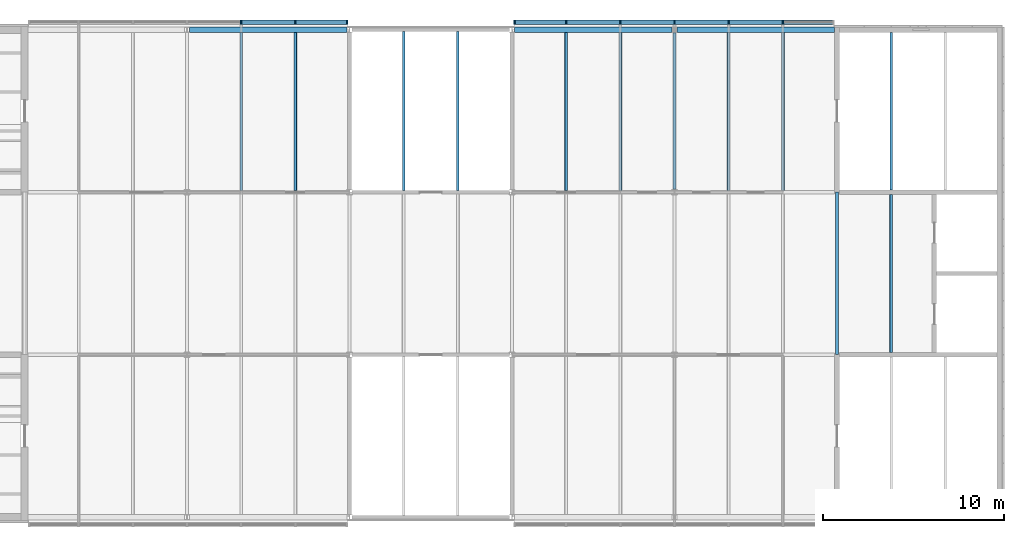
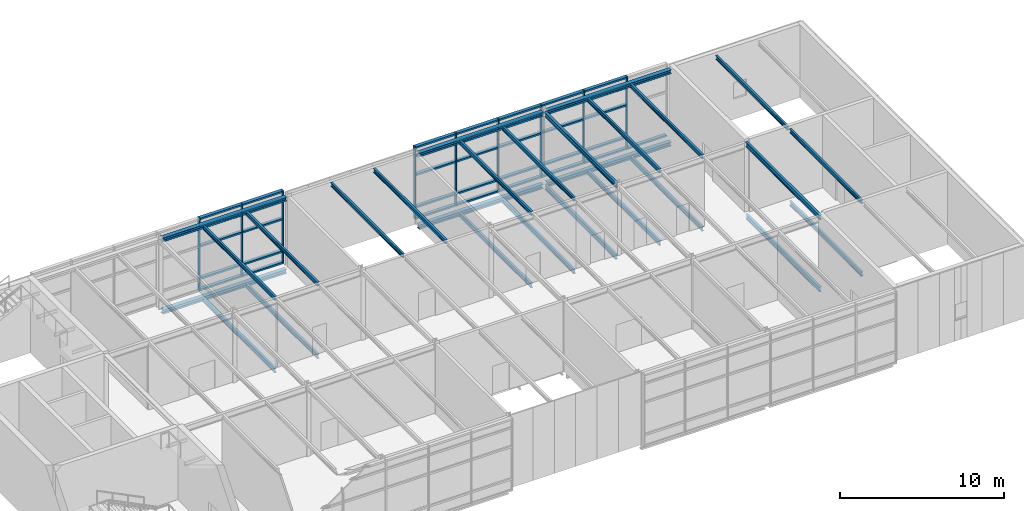
# One storey, part 27 of 46: 45 members, 27 beams, 2 elements without a shape of their own.
"""IFC4 building model written with IfcOpenShell, lengths in metres."""

from ifc_helpers import new_model, si_unit, direction, frame, origin, origin_2d, place, context, subcontext, project, spatial, rectangle, i_section, extrude, material, material_profile, profile_set, type_object, element, aggregate, save


model = new_model("IFC4")

# Units and contexts
model_context = context("Model", 3, precision=1e-05, world=origin(), true_north=direction((0.0, 1.0)))
body_context = subcontext(model_context, "Body", "Model", "MODEL_VIEW")
ifc_project = project(units=[si_unit("LENGTHUNIT", "METRE"), si_unit("AREAUNIT", "SQUARE_METRE"), si_unit("VOLUMEUNIT", "CUBIC_METRE"), si_unit("PLANEANGLEUNIT", "RADIAN"), si_unit("MASSUNIT", "GRAM", prefix="KILO")], contexts=[model_context])

# Site, building, storey
site_placement = place(None, origin())
site = spatial("IfcSite", under=ifc_project, at=site_placement, CompositionType="ELEMENT")
building_placement = place(site_placement, origin())
building = spatial("IfcBuilding", under=site, at=building_placement, Name="Azimuth Sports and Learning Centre", CompositionType="ELEMENT")
storey_placement = place(building_placement, frame((0.0, 0.0, 21.60009765625)))
storey = spatial("IfcBuildingStorey", under=building, at=storey_placement, Name="L04", CompositionType="ELEMENT", Elevation=21.60009765625)

# Beams
ifc_material_1 = material(Name="Steel S355", Category="steel")
ifc_material_profile_1 = material_profile(ifc_material_1, i_section(OverallWidth=0.169921875, OverallDepth=0.360107421875, WebThickness=0.008056640625, FlangeThickness=0.0126953125, FilletRadius=0.01806640625, at=origin_2d()), Name="IPE 360")
ifc_profile_set_1 = profile_set([ifc_material_profile_1], Name="Steel S355")
beam_type_1 = type_object("IfcBeamType", Name="Beam IPE 360", PredefinedType="BEAM", material=ifc_profile_set_1)
beam_1_placement = place(storey_placement, frame((153.0, 108.179931640625, -0.330078125), z_axis=(0.0, 1.0, 0.0), x_axis=(-1.0, 0.0, 0.0)))
element("IfcBeam", 1, at=beam_1_placement, inside=storey, type_object=beam_type_1, Name="Beam L04 WE 25", PredefinedType="BEAM", context=body_context, shape_type="SweptSolid", body=[
    extrude(i_section(OverallWidth=0.169921875, OverallDepth=0.360107421875, WebThickness=0.008056640625, FlangeThickness=0.0126953125, FilletRadius=0.01806640625, at=origin_2d()), origin(), (0.0, 0.0, 1.0), 8.64013671875),
])
beam_2_placement = place(storey_placement, frame((162.0, 99.0, -0.330078125), z_axis=(0.0, 1.0, 0.0), x_axis=(-1.0, 0.0, 0.0)))
element("IfcBeam", 2, at=beam_2_placement, inside=storey, type_object=beam_type_1, Name="Beam L04 WE 26", PredefinedType="BEAM", context=body_context, shape_type="SweptSolid", body=[
    extrude(i_section(OverallWidth=0.169921875, OverallDepth=0.360107421875, WebThickness=0.008056640625, FlangeThickness=0.0126953125, FilletRadius=0.01806640625, at=origin_2d()), origin(), (0.0, 0.0, 1.0), 9.0),
])
beam_3_placement = place(storey_placement, frame((153.0, 108.14990234375, 5.02001953125), z_axis=(0.0, 1.0, 0.0), x_axis=(-1.0, 0.0, 0.0)))
element("IfcBeam", 3, at=beam_3_placement, inside=storey, type_object=beam_type_1, Name="Beam L04 TE 86", PredefinedType="BEAM", context=body_context, shape_type="SweptSolid", body=[
    extrude(i_section(OverallWidth=0.169921875, OverallDepth=0.360107421875, WebThickness=0.008056640625, FlangeThickness=0.0126953125, FilletRadius=0.01806640625, at=origin_2d()), origin(), (0.0, 0.0, 1.0), 8.7001953125),
])
beam_4_placement = place(storey_placement, frame((162.0, 99.0, 5.02001953125), z_axis=(0.0, 1.0, 0.0), x_axis=(-1.0, 0.0, 0.0)))
element("IfcBeam", 4, at=beam_4_placement, inside=storey, type_object=beam_type_1, Name="Beam L04 TE 87", PredefinedType="BEAM", context=body_context, shape_type="SweptSolid", body=[
    extrude(i_section(OverallWidth=0.169921875, OverallDepth=0.360107421875, WebThickness=0.008056640625, FlangeThickness=0.0126953125, FilletRadius=0.01806640625, at=origin_2d()), origin(), (0.0, 0.0, 1.0), 9.0),
])
ifc_material_2 = material(Name="Steel S355", Category="steel")
ifc_material_profile_2 = material_profile(ifc_material_2, i_section(OverallWidth=0.300048828125, OverallDepth=0.2900390625, WebThickness=0.008544921875, FlangeThickness=0.013916015625, FilletRadius=0.027099609375, at=origin_2d()), Name="HEA 300")
ifc_profile_set_2 = profile_set([ifc_material_profile_2], Name="Steel S355")
beam_type_2 = type_object("IfcBeamType", Name="Edge beam HEA 300", PredefinedType="SPANDREL", material=ifc_profile_set_2)
for number, where, z_axis, x_axis, name in (
    (5, (126.14990234375, 117.0, 5.054931640625), (1.0, 0.0, 0.0), (0.0, 1.0, 0.0), "Edge beam L04 TE 75"),
    (6, (144.14990234375, 117.0, 5.054931640625), (1.0, 0.0, 0.0), (0.0, 1.0, 0.0), "Edge beam L04 TE 76"),
    (7, (153.14990234375, 117.0, 5.054931640625), (1.0, 0.0, 0.0), (0.0, 1.0, 0.0), "Edge beam L04 TE 77"),
):
    element("IfcBeam", number, at=place(storey_placement, frame(where, z_axis=z_axis, x_axis=x_axis)), inside=storey, type_object=beam_type_2, Name=name, PredefinedType="SPANDREL", context=body_context, shape_type="SweptSolid", body=[
        extrude(i_section(OverallWidth=0.300048828125, OverallDepth=0.2900390625, WebThickness=0.008544921875, FlangeThickness=0.013916015625, FilletRadius=0.027099609375, at=origin_2d()), origin(), (0.0, 0.0, 1.0), 8.7001953125),
    ])
ifc_material_3 = material(Name="Steel S355", Category="steel")
ifc_material_profile_3 = material_profile(ifc_material_3, i_section(OverallWidth=0.300048828125, OverallDepth=0.31005859375, WebThickness=0.009033203125, FlangeThickness=0.015380859375, FilletRadius=0.027099609375, at=origin_2d()), Name="HEA 320")
ifc_profile_set_3 = profile_set([ifc_material_profile_3], Name="Steel S355")
beam_type_3 = type_object("IfcBeamType", Name="Edge beam HEA 320", PredefinedType="SPANDREL", material=ifc_profile_set_3)
for number, where, z_axis, x_axis, name in (
    (8, (126.14990234375, 117.0, -0.30517578125), (1.0, 0.0, 0.0), (0.0, 1.0, 0.0), "Edge beam L04 WE 14"),
    (9, (144.14990234375, 117.0, -0.30517578125), (1.0, 0.0, 0.0), (0.0, 1.0, 0.0), "Edge beam L04 WE 15"),
    (10, (153.14990234375, 117.0, -0.30517578125), (1.0, 0.0, 0.0), (0.0, 1.0, 0.0), "Edge beam L04 WE 16"),
):
    element("IfcBeam", number, at=place(storey_placement, frame(where, z_axis=z_axis, x_axis=x_axis)), inside=storey, type_object=beam_type_3, Name=name, PredefinedType="SPANDREL", context=body_context, shape_type="SweptSolid", body=[
        extrude(i_section(OverallWidth=0.300048828125, OverallDepth=0.31005859375, WebThickness=0.009033203125, FlangeThickness=0.015380859375, FilletRadius=0.027099609375, at=origin_2d()), origin(), (0.0, 0.0, 1.0), 8.7001953125),
    ])
ifc_material_4 = material(Name="Steel S355", Category="steel")
ifc_material_profile_4 = material_profile(ifc_material_4, i_section(OverallWidth=0.14990234375, OverallDepth=0.300048828125, WebThickness=0.007080078125, FlangeThickness=0.0107421875, FilletRadius=0.014892578125, at=origin_2d()), Name="IPE 300")
ifc_profile_set_4 = profile_set([ifc_material_profile_4], Name="Steel S355")
beam_type_4 = type_object("IfcBeamType", Name="Joist IPE 300", PredefinedType="JOIST", material=ifc_profile_set_4)
for number, where, z_axis, x_axis, name in (
    (11, (129.0, 108.094970703125, 5.0498046875), (0.0, 1.0, 0.0), (-1.0, 0.0, 0.0), "Joist L04 TE 96"),
    (12, (132.0, 108.094970703125, 5.0498046875), (0.0, 1.0, 0.0), (-1.0, 0.0, 0.0), "Joist L04 TE 99"),
):
    element("IfcBeam", number, at=place(storey_placement, frame(where, z_axis=z_axis, x_axis=x_axis)), inside=storey, type_object=beam_type_4, Name=name, PredefinedType="JOIST", context=body_context, shape_type="SweptSolid", body=[
        extrude(i_section(OverallWidth=0.14990234375, OverallDepth=0.300048828125, WebThickness=0.007080078125, FlangeThickness=0.0107421875, FilletRadius=0.014892578125, at=origin_2d()), origin(), (0.0, 0.0, 1.0), 8.755126953125),
    ])
for number, where, z_axis, x_axis, name in (
    (13, (138.0, 108.10009765625, 5.0498046875), (0.0, 1.0, 0.0), (-1.0, 0.0, 0.0), "Joist L04 TE 102"),
    (14, (141.0, 108.10009765625, 5.0498046875), (0.0, 1.0, 0.0), (-1.0, 0.0, 0.0), "Joist L04 TE 105"),
):
    element("IfcBeam", number, at=place(storey_placement, frame(where, z_axis=z_axis, x_axis=x_axis)), inside=storey, type_object=beam_type_4, Name=name, PredefinedType="JOIST", context=body_context, shape_type="SweptSolid", body=[
        extrude(i_section(OverallWidth=0.14990234375, OverallDepth=0.300048828125, WebThickness=0.007080078125, FlangeThickness=0.0107421875, FilletRadius=0.014892578125, at=origin_2d()), origin(), (0.0, 0.0, 1.0), 8.7998046875),
    ])
for number, where, z_axis, x_axis, name in (
    (15, (147.0, 108.094970703125, 5.0498046875), (0.0, 1.0, 0.0), (-1.0, 0.0, 0.0), "Joist L04 TE 108"),
    (16, (150.0, 108.094970703125, 5.0498046875), (0.0, 1.0, 0.0), (-1.0, 0.0, 0.0), "Joist L04 TE 111"),
    (17, (156.0, 108.094970703125, 5.0498046875), (0.0, 1.0, 0.0), (-1.0, 0.0, 0.0), "Joist L04 TE 114"),
    (18, (159.0, 108.094970703125, 5.0498046875), (0.0, 1.0, 0.0), (-1.0, 0.0, 0.0), "Joist L04 TE 117"),
):
    element("IfcBeam", number, at=place(storey_placement, frame(where, z_axis=z_axis, x_axis=x_axis)), inside=storey, type_object=beam_type_4, Name=name, PredefinedType="JOIST", context=body_context, shape_type="SweptSolid", body=[
        extrude(i_section(OverallWidth=0.14990234375, OverallDepth=0.300048828125, WebThickness=0.007080078125, FlangeThickness=0.0107421875, FilletRadius=0.014892578125, at=origin_2d()), origin(), (0.0, 0.0, 1.0), 8.755126953125),
    ])
beam_5_placement = place(storey_placement, frame((165.0, 99.125, 5.0498046875), z_axis=(0.0, 1.0, 0.0), x_axis=(-1.0, 0.0, 0.0)))
element("IfcBeam", 19, at=beam_5_placement, inside=storey, type_object=beam_type_4, Name="Joist L04 TE 119", PredefinedType="JOIST", context=body_context, shape_type="SweptSolid", body=[
    extrude(i_section(OverallWidth=0.14990234375, OverallDepth=0.300048828125, WebThickness=0.007080078125, FlangeThickness=0.0107421875, FilletRadius=0.014892578125, at=origin_2d()), origin(), (0.0, 0.0, 1.0), 8.75),
])
beam_6_placement = place(storey_placement, frame((165.0, 108.125, 5.0498046875), z_axis=(0.0, 1.0, 0.0), x_axis=(-1.0, 0.0, 0.0)))
element("IfcBeam", 20, at=beam_6_placement, inside=storey, type_object=beam_type_4, Name="Joist L04 TE 120", PredefinedType="JOIST", context=body_context, shape_type="SweptSolid", body=[
    extrude(i_section(OverallWidth=0.14990234375, OverallDepth=0.300048828125, WebThickness=0.007080078125, FlangeThickness=0.0107421875, FilletRadius=0.014892578125, at=origin_2d()), origin(), (0.0, 0.0, 1.0), 8.72509765625),
])
ifc_material_5 = material(Name="Steel S355", Category="steel")
ifc_material_profile_5 = material_profile(ifc_material_5, i_section(OverallWidth=0.159912109375, OverallDepth=0.330078125, WebThickness=0.007568359375, FlangeThickness=0.011474609375, FilletRadius=0.01806640625, at=origin_2d()), Name="IPE 330")
ifc_profile_set_5 = profile_set([ifc_material_profile_5], Name="Steel S355")
beam_type_5 = type_object("IfcBeamType", Name="Joist IPE 330", PredefinedType="JOIST", material=ifc_profile_set_5)
for number, where, z_axis, x_axis, name in (
    (21, (129.0, 108.10009765625, -0.315185546875), (0.0, 1.0, 0.0), (-1.0, 0.0, 0.0), "Joist L04 WE 35"),
    (22, (132.0, 108.10009765625, -0.315185546875), (0.0, 1.0, 0.0), (-1.0, 0.0, 0.0), "Joist L04 WE 38"),
    (23, (147.0, 108.10009765625, -0.315185546875), (0.0, 1.0, 0.0), (-1.0, 0.0, 0.0), "Joist L04 WE 43"),
    (24, (150.0, 108.10009765625, -0.315185546875), (0.0, 1.0, 0.0), (-1.0, 0.0, 0.0), "Joist L04 WE 46"),
    (25, (156.0, 108.10009765625, -0.315185546875), (0.0, 1.0, 0.0), (-1.0, 0.0, 0.0), "Joist L04 WE 49"),
    (26, (159.0, 108.10009765625, -0.315185546875), (0.0, 1.0, 0.0), (-1.0, 0.0, 0.0), "Joist L04 WE 52"),
    (27, (165.0, 99.125, -0.315185546875), (0.0, 1.0, 0.0), (-1.0, 0.0, 0.0), "Joist L04 WE 53"),
):
    element("IfcBeam", number, at=place(storey_placement, frame(where, z_axis=z_axis, x_axis=x_axis)), inside=storey, type_object=beam_type_5, Name=name, PredefinedType="JOIST", context=body_context, shape_type="SweptSolid", body=[
        extrude(i_section(OverallWidth=0.159912109375, OverallDepth=0.330078125, WebThickness=0.007568359375, FlangeThickness=0.011474609375, FilletRadius=0.01806640625, at=origin_2d()), origin(), (0.0, 0.0, 1.0), 8.75),
    ])

# Curtain wall, members
ifc_material_6 = material(Name="Aluminium and glass", Category="aluminium")
curtain_wall_type = type_object("IfcCurtainWallType", Name="Curtain wall podium wing 240", PredefinedType="NOTDEFINED", material=ifc_material_6)
curtain_wall_1_placement = place(storey_placement, origin())
curtain_wall_1 = element("IfcCurtainWall", 28, at=curtain_wall_1_placement, inside=storey, type_object=curtain_wall_type, Name="Curtain wall CW04-011", PredefinedType="NOTDEFINED")
ifc_material_7 = material(Name="Aluminium", Category="aluminium")
ifc_material_profile_6 = material_profile(ifc_material_7, rectangle(XDim=0.239990234375, YDim=0.080078125, at=origin_2d()), Name="Mullion 80x240")
ifc_profile_set_6 = profile_set([ifc_material_profile_6], Name="Aluminium")
member_type_1 = type_object("IfcMemberType", Name="Mullion 80x240", PredefinedType="MULLION", material=ifc_profile_set_6)
member_1_placement = place(storey_placement, frame((159.0, 117.419921875, 0.0), z_axis=(0.0, 0.0, 1.0), x_axis=(0.0, -1.0, 0.0)))
member_1 = element("IfcMember", 29, at=member_1_placement, type_object=member_type_1, Name="CW04-011 mullion 2", PredefinedType="MULLION", context=body_context, shape_type="SweptSolid", body=[
    extrude(rectangle(XDim=0.239990234375, YDim=0.080078125, at=origin_2d()), origin(), (0.0, 0.0, 1.0), 5.39990234375),
])
member_2_placement = place(storey_placement, frame((156.0, 117.419921875, 0.0), z_axis=(0.0, 0.0, 1.0), x_axis=(0.0, -1.0, 0.0)))
member_2 = element("IfcMember", 30, at=member_2_placement, type_object=member_type_1, Name="CW04-011 mullion 3", PredefinedType="MULLION", context=body_context, shape_type="SweptSolid", body=[
    extrude(rectangle(XDim=0.239990234375, YDim=0.080078125, at=origin_2d()), origin(), (0.0, 0.0, 1.0), 5.39990234375),
])
member_3_placement = place(storey_placement, frame((153.0, 117.419921875, 0.0), z_axis=(0.0, 0.0, 1.0), x_axis=(0.0, -1.0, 0.0)))
member_3 = element("IfcMember", 31, at=member_3_placement, type_object=member_type_1, Name="CW04-011 mullion 4", PredefinedType="MULLION", context=body_context, shape_type="SweptSolid", body=[
    extrude(rectangle(XDim=0.239990234375, YDim=0.080078125, at=origin_2d()), origin(), (0.0, 0.0, 1.0), 5.39990234375),
])
member_4_placement = place(storey_placement, frame((150.0, 117.419921875, 0.0), z_axis=(0.0, 0.0, 1.0), x_axis=(0.0, -1.0, 0.0)))
member_4 = element("IfcMember", 32, at=member_4_placement, type_object=member_type_1, Name="CW04-011 mullion 5", PredefinedType="MULLION", context=body_context, shape_type="SweptSolid", body=[
    extrude(rectangle(XDim=0.239990234375, YDim=0.080078125, at=origin_2d()), origin(), (0.0, 0.0, 1.0), 5.39990234375),
])
member_5_placement = place(storey_placement, frame((147.0, 117.419921875, 0.0), z_axis=(0.0, 0.0, 1.0), x_axis=(0.0, -1.0, 0.0)))
member_5 = element("IfcMember", 33, at=member_5_placement, type_object=member_type_1, Name="CW04-011 mullion 6", PredefinedType="MULLION", context=body_context, shape_type="SweptSolid", body=[
    extrude(rectangle(XDim=0.239990234375, YDim=0.080078125, at=origin_2d()), origin(), (0.0, 0.0, 1.0), 5.39990234375),
])
member_6_placement = place(storey_placement, frame((144.139892578125, 117.419921875, 0.0), z_axis=(0.0, 0.0, 1.0), x_axis=(0.0, -1.0, 0.0)))
member_6 = element("IfcMember", 34, at=member_6_placement, type_object=member_type_1, Name="CW04-011 mullion 7", PredefinedType="MULLION", context=body_context, shape_type="SweptSolid", body=[
    extrude(rectangle(XDim=0.239990234375, YDim=0.080078125, at=origin_2d()), origin(), (0.0, 0.0, 1.0), 5.39990234375),
])

curtain_wall_2_placement = place(storey_placement, origin())
curtain_wall_2 = element("IfcCurtainWall", 35, at=curtain_wall_2_placement, inside=storey, type_object=curtain_wall_type, Name="Curtain wall CW04-012", PredefinedType="NOTDEFINED")
member_7_placement = place(storey_placement, frame((134.860107421875, 117.419921875, 0.0), z_axis=(0.0, 0.0, 1.0), x_axis=(0.0, -1.0, 0.0)))
member_7 = element("IfcMember", 36, at=member_7_placement, type_object=member_type_1, Name="CW04-012 mullion 1", PredefinedType="MULLION", context=body_context, shape_type="SweptSolid", body=[
    extrude(rectangle(XDim=0.239990234375, YDim=0.080078125, at=origin_2d()), origin(), (0.0, 0.0, 1.0), 5.39990234375),
])
member_8_placement = place(storey_placement, frame((132.0, 117.419921875, 0.0), z_axis=(0.0, 0.0, 1.0), x_axis=(0.0, -1.0, 0.0)))
member_8 = element("IfcMember", 37, at=member_8_placement, type_object=member_type_1, Name="CW04-012 mullion 2", PredefinedType="MULLION", context=body_context, shape_type="SweptSolid", body=[
    extrude(rectangle(XDim=0.239990234375, YDim=0.080078125, at=origin_2d()), origin(), (0.0, 0.0, 1.0), 5.39990234375),
])
member_9_placement = place(storey_placement, frame((129.0, 117.419921875, 0.0), z_axis=(0.0, 0.0, 1.0), x_axis=(0.0, -1.0, 0.0)))
member_9 = element("IfcMember", 38, at=member_9_placement, type_object=member_type_1, Name="CW04-012 mullion 3", PredefinedType="MULLION", context=body_context, shape_type="SweptSolid", body=[
    extrude(rectangle(XDim=0.239990234375, YDim=0.080078125, at=origin_2d()), origin(), (0.0, 0.0, 1.0), 5.39990234375),
])

# Member
ifc_material_8 = material(Name="Aluminium", Category="aluminium")
ifc_material_profile_7 = material_profile(ifc_material_8, rectangle(XDim=0.239990234375, YDim=0.1201171875, at=origin_2d()), Name="Transom 120x240")
ifc_profile_set_7 = profile_set([ifc_material_profile_7], Name="Aluminium")
member_type_2 = type_object("IfcMemberType", Name="Transom 120x240", PredefinedType="USERDEFINED", material=ifc_profile_set_7)
member_10_placement = place(storey_placement, frame((161.77001953125, 117.419921875, 0.059814453125), z_axis=(-1.0, 0.0, 0.0), x_axis=(0.0, -1.0, 0.0)))
member_10 = element("IfcMember", 39, at=member_10_placement, type_object=member_type_2, Name="CW04-011 transom 1.1", ObjectType="TRANSOM", PredefinedType="USERDEFINED", context=body_context, shape_type="SweptSolid", body=[
    extrude(rectangle(XDim=0.239990234375, YDim=0.1201171875, at=origin_2d()), origin(), (0.0, 0.0, 1.0), 2.72998046875),
])

member_11_placement = place(storey_placement, frame((158.9599609375, 117.419921875, 0.059814453125), z_axis=(-1.0, 0.0, 0.0), x_axis=(0.0, -1.0, 0.0)))
member_11 = element("IfcMember", 40, at=member_11_placement, type_object=member_type_2, Name="CW04-011 transom 2.1", ObjectType="TRANSOM", PredefinedType="USERDEFINED", context=body_context, shape_type="SweptSolid", body=[
    extrude(rectangle(XDim=0.239990234375, YDim=0.1201171875, at=origin_2d()), origin(), (0.0, 0.0, 1.0), 2.919921875),
])

member_12_placement = place(storey_placement, frame((158.9599609375, 117.419921875, 0.89990234375), z_axis=(-1.0, 0.0, 0.0), x_axis=(0.0, -1.0, 0.0)))
member_12 = element("IfcMember", 41, at=member_12_placement, type_object=member_type_2, Name="CW04-011 transom 2.2", ObjectType="TRANSOM", PredefinedType="USERDEFINED", context=body_context, shape_type="SweptSolid", body=[
    extrude(rectangle(XDim=0.239990234375, YDim=0.1201171875, at=origin_2d()), origin(), (0.0, 0.0, 1.0), 2.919921875),
])

member_13_placement = place(storey_placement, frame((158.9599609375, 117.419921875, 3.2998046875), z_axis=(-1.0, 0.0, 0.0), x_axis=(0.0, -1.0, 0.0)))
member_13 = element("IfcMember", 42, at=member_13_placement, type_object=member_type_2, Name="CW04-011 transom 2.3", ObjectType="TRANSOM", PredefinedType="USERDEFINED", context=body_context, shape_type="SweptSolid", body=[
    extrude(rectangle(XDim=0.239990234375, YDim=0.1201171875, at=origin_2d()), origin(), (0.0, 0.0, 1.0), 2.919921875),
])

member_14_placement = place(storey_placement, frame((158.9599609375, 117.419921875, 4.699951171875), z_axis=(-1.0, 0.0, 0.0), x_axis=(0.0, -1.0, 0.0)))
member_14 = element("IfcMember", 43, at=member_14_placement, type_object=member_type_2, Name="CW04-011 transom 2.4", ObjectType="TRANSOM", PredefinedType="USERDEFINED", context=body_context, shape_type="SweptSolid", body=[
    extrude(rectangle(XDim=0.239990234375, YDim=0.1201171875, at=origin_2d()), origin(), (0.0, 0.0, 1.0), 2.919921875),
])

member_15_placement = place(storey_placement, frame((158.9599609375, 117.419921875, 5.33984375), z_axis=(-1.0, 0.0, 0.0), x_axis=(0.0, -1.0, 0.0)))
member_15 = element("IfcMember", 44, at=member_15_placement, type_object=member_type_2, Name="CW04-011 transom 2.5", ObjectType="TRANSOM", PredefinedType="USERDEFINED", context=body_context, shape_type="SweptSolid", body=[
    extrude(rectangle(XDim=0.239990234375, YDim=0.1201171875, at=origin_2d()), origin(), (0.0, 0.0, 1.0), 2.919921875),
])

member_16_placement = place(storey_placement, frame((155.9599609375, 117.419921875, 0.059814453125), z_axis=(-1.0, 0.0, 0.0), x_axis=(0.0, -1.0, 0.0)))
member_16 = element("IfcMember", 45, at=member_16_placement, type_object=member_type_2, Name="CW04-011 transom 3.1", ObjectType="TRANSOM", PredefinedType="USERDEFINED", context=body_context, shape_type="SweptSolid", body=[
    extrude(rectangle(XDim=0.239990234375, YDim=0.1201171875, at=origin_2d()), origin(), (0.0, 0.0, 1.0), 2.919921875),
])

member_17_placement = place(storey_placement, frame((155.9599609375, 117.419921875, 0.89990234375), z_axis=(-1.0, 0.0, 0.0), x_axis=(0.0, -1.0, 0.0)))
member_17 = element("IfcMember", 46, at=member_17_placement, type_object=member_type_2, Name="CW04-011 transom 3.2", ObjectType="TRANSOM", PredefinedType="USERDEFINED", context=body_context, shape_type="SweptSolid", body=[
    extrude(rectangle(XDim=0.239990234375, YDim=0.1201171875, at=origin_2d()), origin(), (0.0, 0.0, 1.0), 2.919921875),
])

member_18_placement = place(storey_placement, frame((155.9599609375, 117.419921875, 3.2998046875), z_axis=(-1.0, 0.0, 0.0), x_axis=(0.0, -1.0, 0.0)))
member_18 = element("IfcMember", 47, at=member_18_placement, type_object=member_type_2, Name="CW04-011 transom 3.3", ObjectType="TRANSOM", PredefinedType="USERDEFINED", context=body_context, shape_type="SweptSolid", body=[
    extrude(rectangle(XDim=0.239990234375, YDim=0.1201171875, at=origin_2d()), origin(), (0.0, 0.0, 1.0), 2.919921875),
])

member_19_placement = place(storey_placement, frame((155.9599609375, 117.419921875, 4.699951171875), z_axis=(-1.0, 0.0, 0.0), x_axis=(0.0, -1.0, 0.0)))
member_19 = element("IfcMember", 48, at=member_19_placement, type_object=member_type_2, Name="CW04-011 transom 3.4", ObjectType="TRANSOM", PredefinedType="USERDEFINED", context=body_context, shape_type="SweptSolid", body=[
    extrude(rectangle(XDim=0.239990234375, YDim=0.1201171875, at=origin_2d()), origin(), (0.0, 0.0, 1.0), 2.919921875),
])

member_20_placement = place(storey_placement, frame((155.9599609375, 117.419921875, 5.33984375), z_axis=(-1.0, 0.0, 0.0), x_axis=(0.0, -1.0, 0.0)))
member_20 = element("IfcMember", 49, at=member_20_placement, type_object=member_type_2, Name="CW04-011 transom 3.5", ObjectType="TRANSOM", PredefinedType="USERDEFINED", context=body_context, shape_type="SweptSolid", body=[
    extrude(rectangle(XDim=0.239990234375, YDim=0.1201171875, at=origin_2d()), origin(), (0.0, 0.0, 1.0), 2.919921875),
])

member_21_placement = place(storey_placement, frame((152.9599609375, 117.419921875, 0.059814453125), z_axis=(-1.0, 0.0, 0.0), x_axis=(0.0, -1.0, 0.0)))
member_21 = element("IfcMember", 50, at=member_21_placement, type_object=member_type_2, Name="CW04-011 transom 4.1", ObjectType="TRANSOM", PredefinedType="USERDEFINED", context=body_context, shape_type="SweptSolid", body=[
    extrude(rectangle(XDim=0.239990234375, YDim=0.1201171875, at=origin_2d()), origin(), (0.0, 0.0, 1.0), 2.919921875),
])

member_22_placement = place(storey_placement, frame((152.9599609375, 117.419921875, 0.89990234375), z_axis=(-1.0, 0.0, 0.0), x_axis=(0.0, -1.0, 0.0)))
member_22 = element("IfcMember", 51, at=member_22_placement, type_object=member_type_2, Name="CW04-011 transom 4.2", ObjectType="TRANSOM", PredefinedType="USERDEFINED", context=body_context, shape_type="SweptSolid", body=[
    extrude(rectangle(XDim=0.239990234375, YDim=0.1201171875, at=origin_2d()), origin(), (0.0, 0.0, 1.0), 2.919921875),
])

member_23_placement = place(storey_placement, frame((152.9599609375, 117.419921875, 3.2998046875), z_axis=(-1.0, 0.0, 0.0), x_axis=(0.0, -1.0, 0.0)))
member_23 = element("IfcMember", 52, at=member_23_placement, type_object=member_type_2, Name="CW04-011 transom 4.3", ObjectType="TRANSOM", PredefinedType="USERDEFINED", context=body_context, shape_type="SweptSolid", body=[
    extrude(rectangle(XDim=0.239990234375, YDim=0.1201171875, at=origin_2d()), origin(), (0.0, 0.0, 1.0), 2.919921875),
])

member_24_placement = place(storey_placement, frame((152.9599609375, 117.419921875, 4.699951171875), z_axis=(-1.0, 0.0, 0.0), x_axis=(0.0, -1.0, 0.0)))
member_24 = element("IfcMember", 53, at=member_24_placement, type_object=member_type_2, Name="CW04-011 transom 4.4", ObjectType="TRANSOM", PredefinedType="USERDEFINED", context=body_context, shape_type="SweptSolid", body=[
    extrude(rectangle(XDim=0.239990234375, YDim=0.1201171875, at=origin_2d()), origin(), (0.0, 0.0, 1.0), 2.919921875),
])

member_25_placement = place(storey_placement, frame((152.9599609375, 117.419921875, 5.33984375), z_axis=(-1.0, 0.0, 0.0), x_axis=(0.0, -1.0, 0.0)))
member_25 = element("IfcMember", 54, at=member_25_placement, type_object=member_type_2, Name="CW04-011 transom 4.5", ObjectType="TRANSOM", PredefinedType="USERDEFINED", context=body_context, shape_type="SweptSolid", body=[
    extrude(rectangle(XDim=0.239990234375, YDim=0.1201171875, at=origin_2d()), origin(), (0.0, 0.0, 1.0), 2.919921875),
])

member_26_placement = place(storey_placement, frame((149.9599609375, 117.419921875, 0.059814453125), z_axis=(-1.0, 0.0, 0.0), x_axis=(0.0, -1.0, 0.0)))
member_26 = element("IfcMember", 55, at=member_26_placement, type_object=member_type_2, Name="CW04-011 transom 5.1", ObjectType="TRANSOM", PredefinedType="USERDEFINED", context=body_context, shape_type="SweptSolid", body=[
    extrude(rectangle(XDim=0.239990234375, YDim=0.1201171875, at=origin_2d()), origin(), (0.0, 0.0, 1.0), 2.919921875),
])

member_27_placement = place(storey_placement, frame((149.9599609375, 117.419921875, 0.89990234375), z_axis=(-1.0, 0.0, 0.0), x_axis=(0.0, -1.0, 0.0)))
member_27 = element("IfcMember", 56, at=member_27_placement, type_object=member_type_2, Name="CW04-011 transom 5.2", ObjectType="TRANSOM", PredefinedType="USERDEFINED", context=body_context, shape_type="SweptSolid", body=[
    extrude(rectangle(XDim=0.239990234375, YDim=0.1201171875, at=origin_2d()), origin(), (0.0, 0.0, 1.0), 2.919921875),
])

member_28_placement = place(storey_placement, frame((149.9599609375, 117.419921875, 3.2998046875), z_axis=(-1.0, 0.0, 0.0), x_axis=(0.0, -1.0, 0.0)))
member_28 = element("IfcMember", 57, at=member_28_placement, type_object=member_type_2, Name="CW04-011 transom 5.3", ObjectType="TRANSOM", PredefinedType="USERDEFINED", context=body_context, shape_type="SweptSolid", body=[
    extrude(rectangle(XDim=0.239990234375, YDim=0.1201171875, at=origin_2d()), origin(), (0.0, 0.0, 1.0), 2.919921875),
])

member_29_placement = place(storey_placement, frame((149.9599609375, 117.419921875, 4.699951171875), z_axis=(-1.0, 0.0, 0.0), x_axis=(0.0, -1.0, 0.0)))
member_29 = element("IfcMember", 58, at=member_29_placement, type_object=member_type_2, Name="CW04-011 transom 5.4", ObjectType="TRANSOM", PredefinedType="USERDEFINED", context=body_context, shape_type="SweptSolid", body=[
    extrude(rectangle(XDim=0.239990234375, YDim=0.1201171875, at=origin_2d()), origin(), (0.0, 0.0, 1.0), 2.919921875),
])

member_30_placement = place(storey_placement, frame((149.9599609375, 117.419921875, 5.33984375), z_axis=(-1.0, 0.0, 0.0), x_axis=(0.0, -1.0, 0.0)))
member_30 = element("IfcMember", 59, at=member_30_placement, type_object=member_type_2, Name="CW04-011 transom 5.5", ObjectType="TRANSOM", PredefinedType="USERDEFINED", context=body_context, shape_type="SweptSolid", body=[
    extrude(rectangle(XDim=0.239990234375, YDim=0.1201171875, at=origin_2d()), origin(), (0.0, 0.0, 1.0), 2.919921875),
])

member_31_placement = place(storey_placement, frame((146.9599609375, 117.419921875, 0.059814453125), z_axis=(-1.0, 0.0, 0.0), x_axis=(0.0, -1.0, 0.0)))
member_31 = element("IfcMember", 60, at=member_31_placement, type_object=member_type_2, Name="CW04-011 transom 6.1", ObjectType="TRANSOM", PredefinedType="USERDEFINED", context=body_context, shape_type="SweptSolid", body=[
    extrude(rectangle(XDim=0.239990234375, YDim=0.1201171875, at=origin_2d()), origin(), (0.0, 0.0, 1.0), 2.780029296875),
])

member_32_placement = place(storey_placement, frame((146.9599609375, 117.419921875, 0.89990234375), z_axis=(-1.0, 0.0, 0.0), x_axis=(0.0, -1.0, 0.0)))
member_32 = element("IfcMember", 61, at=member_32_placement, type_object=member_type_2, Name="CW04-011 transom 6.2", ObjectType="TRANSOM", PredefinedType="USERDEFINED", context=body_context, shape_type="SweptSolid", body=[
    extrude(rectangle(XDim=0.239990234375, YDim=0.1201171875, at=origin_2d()), origin(), (0.0, 0.0, 1.0), 2.780029296875),
])

member_33_placement = place(storey_placement, frame((146.9599609375, 117.419921875, 3.2998046875), z_axis=(-1.0, 0.0, 0.0), x_axis=(0.0, -1.0, 0.0)))
member_33 = element("IfcMember", 62, at=member_33_placement, type_object=member_type_2, Name="CW04-011 transom 6.3", ObjectType="TRANSOM", PredefinedType="USERDEFINED", context=body_context, shape_type="SweptSolid", body=[
    extrude(rectangle(XDim=0.239990234375, YDim=0.1201171875, at=origin_2d()), origin(), (0.0, 0.0, 1.0), 2.780029296875),
])

member_34_placement = place(storey_placement, frame((146.9599609375, 117.419921875, 4.699951171875), z_axis=(-1.0, 0.0, 0.0), x_axis=(0.0, -1.0, 0.0)))
member_34 = element("IfcMember", 63, at=member_34_placement, type_object=member_type_2, Name="CW04-011 transom 6.4", ObjectType="TRANSOM", PredefinedType="USERDEFINED", context=body_context, shape_type="SweptSolid", body=[
    extrude(rectangle(XDim=0.239990234375, YDim=0.1201171875, at=origin_2d()), origin(), (0.0, 0.0, 1.0), 2.780029296875),
])

member_35_placement = place(storey_placement, frame((146.9599609375, 117.419921875, 5.33984375), z_axis=(-1.0, 0.0, 0.0), x_axis=(0.0, -1.0, 0.0)))
member_35 = element("IfcMember", 64, at=member_35_placement, type_object=member_type_2, Name="CW04-011 transom 6.5", ObjectType="TRANSOM", PredefinedType="USERDEFINED", context=body_context, shape_type="SweptSolid", body=[
    extrude(rectangle(XDim=0.239990234375, YDim=0.1201171875, at=origin_2d()), origin(), (0.0, 0.0, 1.0), 2.780029296875),
])

aggregate(curtain_wall_1, [member_1, member_2, member_3, member_4, member_5, member_6, member_10, member_11, member_12, member_13, member_14, member_15, member_16, member_17, member_18, member_19, member_20, member_21, member_22, member_23, member_24, member_25, member_26, member_27, member_28, member_29, member_30, member_31, member_32, member_33, member_34, member_35])

member_36_placement = place(storey_placement, frame((134.820068359375, 117.419921875, 0.059814453125), z_axis=(-1.0, 0.0, 0.0), x_axis=(0.0, -1.0, 0.0)))
member_36 = element("IfcMember", 65, at=member_36_placement, type_object=member_type_2, Name="CW04-012 transom 1.1", ObjectType="TRANSOM", PredefinedType="USERDEFINED", context=body_context, shape_type="SweptSolid", body=[
    extrude(rectangle(XDim=0.239990234375, YDim=0.1201171875, at=origin_2d()), origin(), (0.0, 0.0, 1.0), 2.780029296875),
])

member_37_placement = place(storey_placement, frame((134.820068359375, 117.419921875, 0.89990234375), z_axis=(-1.0, 0.0, 0.0), x_axis=(0.0, -1.0, 0.0)))
member_37 = element("IfcMember", 66, at=member_37_placement, type_object=member_type_2, Name="CW04-012 transom 1.2", ObjectType="TRANSOM", PredefinedType="USERDEFINED", context=body_context, shape_type="SweptSolid", body=[
    extrude(rectangle(XDim=0.239990234375, YDim=0.1201171875, at=origin_2d()), origin(), (0.0, 0.0, 1.0), 2.780029296875),
])

member_38_placement = place(storey_placement, frame((134.820068359375, 117.419921875, 3.2998046875), z_axis=(-1.0, 0.0, 0.0), x_axis=(0.0, -1.0, 0.0)))
member_38 = element("IfcMember", 67, at=member_38_placement, type_object=member_type_2, Name="CW04-012 transom 1.3", ObjectType="TRANSOM", PredefinedType="USERDEFINED", context=body_context, shape_type="SweptSolid", body=[
    extrude(rectangle(XDim=0.239990234375, YDim=0.1201171875, at=origin_2d()), origin(), (0.0, 0.0, 1.0), 2.780029296875),
])

member_39_placement = place(storey_placement, frame((134.820068359375, 117.419921875, 4.699951171875), z_axis=(-1.0, 0.0, 0.0), x_axis=(0.0, -1.0, 0.0)))
member_39 = element("IfcMember", 68, at=member_39_placement, type_object=member_type_2, Name="CW04-012 transom 1.4", ObjectType="TRANSOM", PredefinedType="USERDEFINED", context=body_context, shape_type="SweptSolid", body=[
    extrude(rectangle(XDim=0.239990234375, YDim=0.1201171875, at=origin_2d()), origin(), (0.0, 0.0, 1.0), 2.780029296875),
])

member_40_placement = place(storey_placement, frame((134.820068359375, 117.419921875, 5.33984375), z_axis=(-1.0, 0.0, 0.0), x_axis=(0.0, -1.0, 0.0)))
member_40 = element("IfcMember", 69, at=member_40_placement, type_object=member_type_2, Name="CW04-012 transom 1.5", ObjectType="TRANSOM", PredefinedType="USERDEFINED", context=body_context, shape_type="SweptSolid", body=[
    extrude(rectangle(XDim=0.239990234375, YDim=0.1201171875, at=origin_2d()), origin(), (0.0, 0.0, 1.0), 2.780029296875),
])

member_41_placement = place(storey_placement, frame((131.9599609375, 117.419921875, 0.059814453125), z_axis=(-1.0, 0.0, 0.0), x_axis=(0.0, -1.0, 0.0)))
member_41 = element("IfcMember", 70, at=member_41_placement, type_object=member_type_2, Name="CW04-012 transom 2.1", ObjectType="TRANSOM", PredefinedType="USERDEFINED", context=body_context, shape_type="SweptSolid", body=[
    extrude(rectangle(XDim=0.239990234375, YDim=0.1201171875, at=origin_2d()), origin(), (0.0, 0.0, 1.0), 2.919921875),
])

member_42_placement = place(storey_placement, frame((131.9599609375, 117.419921875, 0.89990234375), z_axis=(-1.0, 0.0, 0.0), x_axis=(0.0, -1.0, 0.0)))
member_42 = element("IfcMember", 71, at=member_42_placement, type_object=member_type_2, Name="CW04-012 transom 2.2", ObjectType="TRANSOM", PredefinedType="USERDEFINED", context=body_context, shape_type="SweptSolid", body=[
    extrude(rectangle(XDim=0.239990234375, YDim=0.1201171875, at=origin_2d()), origin(), (0.0, 0.0, 1.0), 2.919921875),
])

member_43_placement = place(storey_placement, frame((131.9599609375, 117.419921875, 3.2998046875), z_axis=(-1.0, 0.0, 0.0), x_axis=(0.0, -1.0, 0.0)))
member_43 = element("IfcMember", 72, at=member_43_placement, type_object=member_type_2, Name="CW04-012 transom 2.3", ObjectType="TRANSOM", PredefinedType="USERDEFINED", context=body_context, shape_type="SweptSolid", body=[
    extrude(rectangle(XDim=0.239990234375, YDim=0.1201171875, at=origin_2d()), origin(), (0.0, 0.0, 1.0), 2.919921875),
])

member_44_placement = place(storey_placement, frame((131.9599609375, 117.419921875, 4.699951171875), z_axis=(-1.0, 0.0, 0.0), x_axis=(0.0, -1.0, 0.0)))
member_44 = element("IfcMember", 73, at=member_44_placement, type_object=member_type_2, Name="CW04-012 transom 2.4", ObjectType="TRANSOM", PredefinedType="USERDEFINED", context=body_context, shape_type="SweptSolid", body=[
    extrude(rectangle(XDim=0.239990234375, YDim=0.1201171875, at=origin_2d()), origin(), (0.0, 0.0, 1.0), 2.919921875),
])

member_45_placement = place(storey_placement, frame((131.9599609375, 117.419921875, 5.33984375), z_axis=(-1.0, 0.0, 0.0), x_axis=(0.0, -1.0, 0.0)))
member_45 = element("IfcMember", 74, at=member_45_placement, type_object=member_type_2, Name="CW04-012 transom 2.5", ObjectType="TRANSOM", PredefinedType="USERDEFINED", context=body_context, shape_type="SweptSolid", body=[
    extrude(rectangle(XDim=0.239990234375, YDim=0.1201171875, at=origin_2d()), origin(), (0.0, 0.0, 1.0), 2.919921875),
])

aggregate(curtain_wall_2, [member_7, member_8, member_9, member_36, member_37, member_38, member_39, member_40, member_41, member_42, member_43, member_44, member_45])

save(model, "model.ifc")
